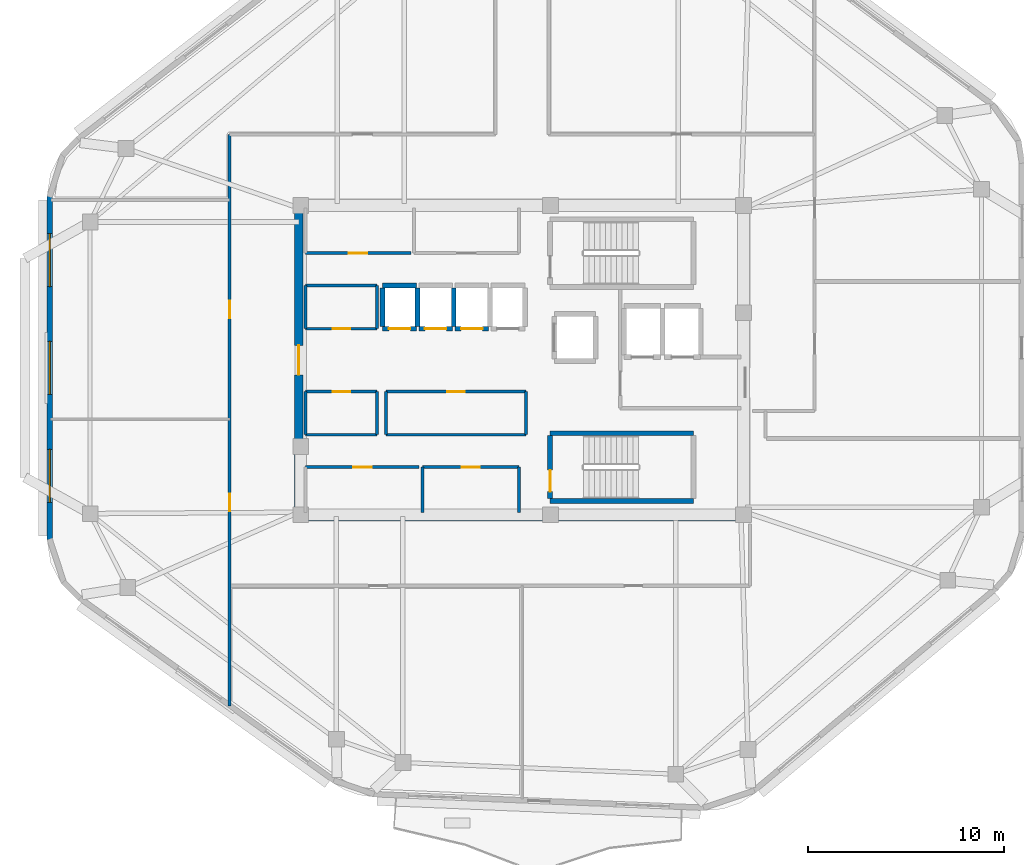
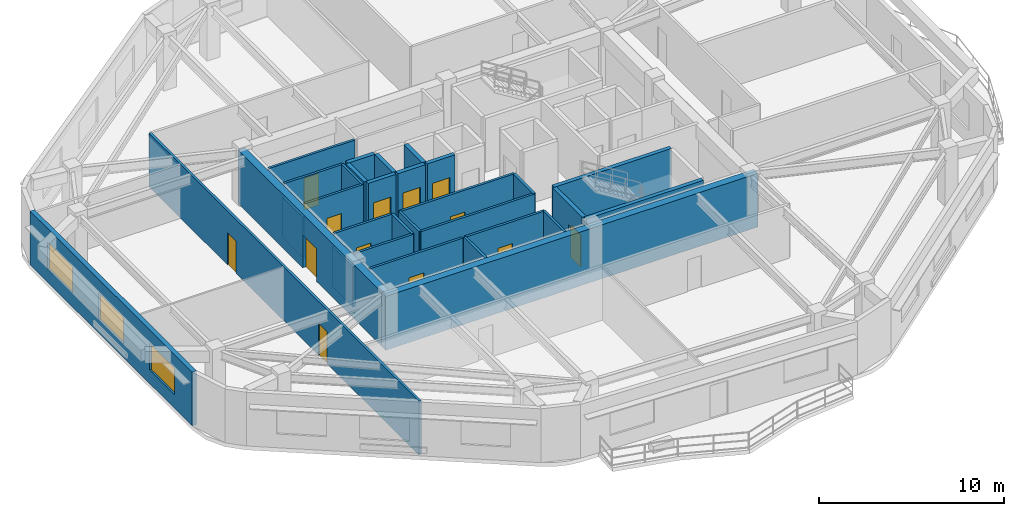
# One storey, part 3 of 8: 31 walls, 13 doors, 3 windows, 16 openings.
"""IFC4 building model written with IfcOpenShell, lengths in metres."""

import ifcopenshell
import ifcopenshell.guid

model = None  # the IFC model being written
_history = None  # IfcOwnerHistory: only IFC2X3 demands one
_inside = {}  # id of a spatial element -> (the spatial element, [elements in it])
_under = {}  # id of a project, library or spatial element -> (it, [spatial elements below it])
_declared = {}  # id of a project -> (the project, [libraries it declares])
_typed = {}  # id of a type object -> (the type object, [elements of that type])
_made_of = {}  # id of a material, layer set ... -> (it, [elements and type objects made of it])


def new_model(schema):
    """Start an empty IFC model of exactly this schema.

    Asked for "IFC4X3", IfcOpenShell would pick the latest addendum, in which some entities
    have other attributes; the version numbers below select the first issue.
    IFC2X3 requires an IfcOwnerHistory on every rooted entity: one is made here for all.
    """
    global model, _history
    if schema == "IFC4X3":
        model = ifcopenshell.file(schema_version=(4, 3, 0, 0))
    else:
        model = ifcopenshell.file(schema=schema)
    _inside.clear()
    _under.clear()
    _declared.clear()
    _typed.clear()
    _made_of.clear()
    _history = None
    if model.schema == "IFC2X3":
        org = make("IfcOrganization", Name="unknown")
        user = make(
            "IfcPersonAndOrganization",
            ThePerson=make("IfcPerson", FamilyName="unknown"),
            TheOrganization=org,
        )
        app = make(
            "IfcApplication",
            ApplicationDeveloper=org,
            Version="unknown",
            ApplicationFullName="unknown",
            ApplicationIdentifier="unknown",
        )
        _history = make(
            "IfcOwnerHistory",
            OwningUser=user,
            OwningApplication=app,
            ChangeAction="ADDED",
            CreationDate=0,
        )
    return model


def make(cls, **values):
    """One entity of the class cls with the attributes given. An attribute that is None is left unset."""
    return model.create_entity(
        cls, **{name: value for name, value in values.items() if value is not None}
    )


def rooted(cls, **values):
    """An entity with a GlobalId (a new one), such as an element, a storey or a relation."""
    return make(cls, GlobalId=ifcopenshell.guid.new(), OwnerHistory=_history, **values)


def si_unit(unit_type, name, prefix=None):
    """IfcSIUnit, for example si_unit("LENGTHUNIT", "METRE", prefix="MILLI")."""
    return make("IfcSIUnit", UnitType=unit_type, Prefix=prefix, Name=name)


def assignment(units):
    """IfcUnitAssignment: the units of a project."""
    return None if units is None else make("IfcUnitAssignment", Units=units)


def point(xyz):
    """IfcCartesianPoint."""
    return None if xyz is None else make("IfcCartesianPoint", Coordinates=xyz)


def direction(xyz):
    """IfcDirection."""
    return None if xyz is None else make("IfcDirection", DirectionRatios=xyz)


def frame(location, z_axis=None, x_axis=None):
    """IfcAxis2Placement3D, a coordinate frame: its origin and axes. An axis left out is left unset."""
    return make(
        "IfcAxis2Placement3D",
        Location=point(location),
        Axis=direction(z_axis),
        RefDirection=direction(x_axis),
    )


def frame_2d(location, x_axis=None):
    """IfcAxis2Placement2D, a coordinate frame in the plane: its origin and x axis."""
    return make(
        "IfcAxis2Placement2D", Location=point(location), RefDirection=direction(x_axis)
    )


def origin():
    """The frame at (0, 0, 0) with its axes left unset."""
    return frame((0.0, 0.0, 0.0))


def place(relative_to, where):
    """IfcLocalPlacement: puts the frame where relative to a parent placement (None: the world)."""
    return make(
        "IfcLocalPlacement", PlacementRelTo=relative_to, RelativePlacement=where
    )


def context(
    kind, dimensions, precision=None, world=None, true_north=None, identifier=None
):
    """IfcGeometricRepresentationContext, for example the 3D "Model" context."""
    return make(
        "IfcGeometricRepresentationContext",
        ContextIdentifier=identifier,
        ContextType=kind,
        CoordinateSpaceDimension=dimensions,
        Precision=precision,
        WorldCoordinateSystem=world,
        TrueNorth=true_north,
    )


def subcontext(parent, identifier, kind, view, scale=None):
    """IfcGeometricRepresentationSubContext, for example "Body" below "Model"."""
    return make(
        "IfcGeometricRepresentationSubContext",
        ContextIdentifier=identifier,
        ContextType=kind,
        ParentContext=parent,
        TargetScale=scale,
        TargetView=view,
    )


def project(units=None, contexts=None):
    """IfcProject with its units and contexts."""
    return rooted(
        "IfcProject",
        Name="project",
        RepresentationContexts=contexts,
        UnitsInContext=assignment(units),
    )


def spatial(cls, under=None, at=None, **own):
    """A site, building, storey or space (cls), placed at a placement, below another one or the project."""
    s = rooted(cls, ObjectPlacement=at, **own)
    if under is not None:
        _under.setdefault(under.id(), (under, []))[1].append(s)
    return s


def profile(cls, at=None, kind="AREA", **sizes):
    """A parametric profile (cls). Its sizes go by their IFC names, for example OverallWidth=200.0."""
    return make(cls, ProfileType=kind, Position=at, **sizes)


def rectangle(**sizes):
    """IfcRectangleProfileDef."""
    return profile("IfcRectangleProfileDef", **sizes)


def extrude(swept, where, along, depth):
    """IfcExtrudedAreaSolid: the profile swept, set in the frame where, extruded along a direction by depth."""
    return make(
        "IfcExtrudedAreaSolid",
        SweptArea=swept,
        Position=where,
        ExtrudedDirection=direction(along),
        Depth=depth,
    )


def shape(context_of_items, identifier, shape_type, items):
    """IfcShapeRepresentation: the items that make up one representation, for example the "Body"."""
    return make(
        "IfcShapeRepresentation",
        ContextOfItems=context_of_items,
        RepresentationIdentifier=identifier,
        RepresentationType=shape_type,
        Items=items,
    )


def material(Name=None, Category=None):
    """IfcMaterial."""
    return make("IfcMaterial", Name=Name, Category=Category)


def layer(
    of_material, thickness, ventilated=None, Name=None, Category=None, Priority=None
):
    """IfcMaterialLayer: one layer of a wall or slab, of a material (None: an air gap)."""
    return make(
        "IfcMaterialLayer",
        Material=of_material,
        LayerThickness=thickness,
        IsVentilated=ventilated,
        Name=Name,
        Category=Category,
        Priority=Priority,
    )


def layer_set(layers, Name=None):
    """IfcMaterialLayerSet."""
    return make("IfcMaterialLayerSet", MaterialLayers=layers, LayerSetName=Name)


def made_of(thing, what):
    """Note that an element or type object is made of a material, layer set ...; save() writes the relation."""
    if what is not None:
        _made_of.setdefault(what.id(), (what, []))[1].append(thing)
    return thing


def type_object(cls, material=None, **own):
    """A type object (cls), such as IfcWallType, which elements share."""
    return made_of(rooted(cls, **own), material)


def element(
    cls,
    number,
    at=None,
    inside=None,
    cuts=None,
    type_object=None,
    material=None,
    context=None,
    identifier="Body",
    shape_type=None,
    held_by="IfcProductDefinitionShape",
    body=None,
    shapes=None,
    **own,
):
    """One element of the class cls, such as IfcWall. Its Tag is "e" and its number.

    at: its placement. inside: the storey or other place that contains it. cuts: it is an
    opening in that element (IfcRelVoidsElement). A single representation is given by context,
    identifier, shape_type and body (its items); several are given by shapes. held_by: the class
    of the entity that holds the representations. save() writes the other relations.
    """
    e = rooted(cls, Tag="e%d" % number, ObjectPlacement=at, **own)
    if body is not None:
        shapes = [shape(context, identifier, shape_type, body)]
    if shapes is not None:
        e.Representation = make(held_by, Representations=shapes)
    if inside is not None:
        _inside.setdefault(inside.id(), (inside, []))[1].append(e)
    if cuts is not None:
        rooted(
            "IfcRelVoidsElement", RelatingBuildingElement=cuts, RelatedOpeningElement=e
        )
    if type_object is not None:
        _typed.setdefault(type_object.id(), (type_object, []))[1].append(e)
    return made_of(e, material)


def fill(opening, filler):
    """IfcRelFillsElement: the door or window that sits in an opening."""
    return rooted(
        "IfcRelFillsElement",
        RelatingOpeningElement=opening,
        RelatedBuildingElement=filler,
    )


def aggregate(whole, parts):
    """IfcRelAggregates: a whole, such as a stair, and the parts it consists of."""
    return rooted("IfcRelAggregates", RelatingObject=whole, RelatedObjects=parts)


def save(model, path):
    """Write the relations noted so far, then the file.

    IfcRelAggregates (storeys below a building ...), IfcRelContainedInSpatialStructure (elements
    in a storey), IfcRelDefinesByType, IfcRelAssociatesMaterial and IfcRelDeclares: one each for
    every whole, place, type object, material and project.
    """
    for whole, parts in _under.values():
        aggregate(whole, parts)
    for where, things in _inside.values():
        rooted(
            "IfcRelContainedInSpatialStructure",
            RelatedElements=things,
            RelatingStructure=where,
        )
    for kind, things in _typed.values():
        rooted("IfcRelDefinesByType", RelatedObjects=things, RelatingType=kind)
    for what, things in _made_of.values():
        rooted("IfcRelAssociatesMaterial", RelatedObjects=things, RelatingMaterial=what)
    for by, libraries in _declared.values():
        rooted("IfcRelDeclares", RelatingContext=by, RelatedDefinitions=libraries)
    model.write(path)


model = new_model("IFC4")

# Units and contexts
model_context = context("Model", 3, precision=1e-05, world=origin(), true_north=direction((0.0, 1.0)))
body_context = subcontext(model_context, "Body", "Model", "MODEL_VIEW")
ifc_project = project(units=[si_unit("LENGTHUNIT", "METRE"), si_unit("AREAUNIT", "SQUARE_METRE"), si_unit("VOLUMEUNIT", "CUBIC_METRE"), si_unit("PLANEANGLEUNIT", "RADIAN"), si_unit("MASSUNIT", "GRAM", prefix="KILO")], contexts=[model_context])

# Site, building, storey
site_placement = place(None, origin())
site = spatial("IfcSite", under=ifc_project, at=site_placement, CompositionType="ELEMENT")
building_placement = place(site_placement, origin())
building = spatial("IfcBuilding", under=site, at=building_placement, Name="Zulverin Broadcast Headquarters", CompositionType="ELEMENT")
storey_placement = place(building_placement, frame((0.0, 0.0, 297.199951171875)))
storey = spatial("IfcBuildingStorey", under=building, at=storey_placement, Name="L76", CompositionType="ELEMENT", Elevation=297.199951171875)

# Wall
ifc_material_1 = material(Name="Concrete C50/60", Category="concrete")
ifc_layer_1 = layer(ifc_material_1, 0.449951171875, Name="Concrete C50/60", Category="concrete")
ifc_layer_set_1 = layer_set([ifc_layer_1], Name="Concrete C50/60")
wall_type_1 = type_object("IfcWallType", Name="WL-CORE-450", PredefinedType="SHEAR", material=ifc_layer_set_1)
wall_1_placement = place(storey_placement, frame((25.39990234375, 17.22509765625, 0.0), z_axis=(0.0, 0.0, 1.0), x_axis=(1.0, 0.0, 0.0)))
element("IfcWall", 1, at=wall_1_placement, inside=storey, type_object=wall_type_1, Name="L76 Core South Shear Wall", PredefinedType="SHEAR", context=body_context, shape_type="SweptSolid", body=[
    extrude(rectangle(XDim=23.2001953125, YDim=0.449951171875, at=frame_2d((11.60009765625, 0.0))), origin(), (0.0, 0.0, 1.0), 3.5400390625),
])

# Wall, opening, door
wall_2_placement = place(storey_placement, frame((25.625, 17.449951171875, 0.0), z_axis=(0.0, 0.0, 1.0), x_axis=(0.0, 1.0, 0.0)))
wall_2 = element("IfcWall", 2, at=wall_2_placement, inside=storey, type_object=wall_type_1, Name="L76 Core West Shear Wall", PredefinedType="SHEAR", context=body_context, shape_type="SweptSolid", body=[
    extrude(rectangle(XDim=15.5, YDim=0.449951171875, at=frame_2d((7.75, 0.0))), origin(), (0.0, 0.0, 1.0), 3.5400390625),
])
opening_1_placement = place(wall_2_placement, frame((7.0, 0.0, 0.0)))
opening_1 = element("IfcOpeningElement", 3, at=opening_1_placement, cuts=wall_2, Name="Opening D-L76-CW1", PredefinedType="OPENING", context=body_context, shape_type="SweptSolid", body=[
    extrude(rectangle(XDim=1.5, YDim=2.14990234375, at=frame_2d((0.75, 1.074951171875))), frame((0.0, 0.23486328125, 0.0), z_axis=(0.0, -1.0, 0.0), x_axis=(1.0, 0.0, 0.0)), (0.0, 0.0, 1.0), 0.469970703125),
])
ifc_material_2 = material(Name="Fire-rated glazed steel frame", Category="steel")
door_type_1 = type_object("IfcDoorType", Name="DR-COR-1500", OperationType="DOUBLE_DOOR_SINGLE_SWING", PredefinedType="DOOR", material=ifc_material_2)
door_1_placement = place(opening_1_placement, origin())
door_1 = element("IfcDoor", 4, at=door_1_placement, inside=storey, type_object=door_type_1, Name="L76 Central Lift Lobby West Portal Door", OperationType="DOUBLE_DOOR_SINGLE_SWING", OverallHeight=2.14990234375, OverallWidth=1.5, PredefinedType="DOOR", context=body_context, shape_type="SweptSolid", body=[
    extrude(rectangle(XDim=1.5, YDim=2.14990234375, at=frame_2d((0.75, 1.074951171875))), frame((0.0, 0.02490234375, 0.0), z_axis=(0.0, -1.0, 0.0), x_axis=(1.0, 0.0, 0.0)), (0.0, 0.0, 1.0), 0.050048828125),
])
fill(opening_1, door_1)

# Wall, openings, windows
ifc_material_3 = material(Name="Insulated pale-metal clad concrete spandrel C40/50", Category="concrete")
ifc_layer_2 = layer(ifc_material_3, 0.280029296875, Name="Insulated pale-metal clad concrete spandrel C40/50", Category="concrete")
ifc_layer_set_2 = layer_set([ifc_layer_2], Name="Insulated pale-metal clad concrete spandrel C40/50")
wall_type_2 = type_object("IfcWallType", Name="WL-EXT-280", PredefinedType="STANDARD", material=ifc_layer_set_2)
wall_3_placement = place(storey_placement, frame((12.93994140625, 33.548095703125, 0.0), z_axis=(0.0, 0.0, 1.0), x_axis=(0.0, -1.0, 0.0)))
wall_3 = element("IfcWall", 5, at=wall_3_placement, inside=storey, type_object=wall_type_2, Name="L76 Pale-Metal Clad Spandrel Wall 7", PredefinedType="STANDARD", context=body_context, shape_type="SweptSolid", body=[
    extrude(rectangle(XDim=17.496337890625, YDim=0.280029296875, at=frame_2d((8.748046875, 0.0))), origin(), (0.0, 0.0, 1.0), 3.5400390625),
])
opening_2_placement = place(wall_3_placement, frame((1.8994140625, 0.0, 0.89990234375)))
opening_2 = element("IfcOpeningElement", 6, at=opening_2_placement, cuts=wall_3, Name="Opening W-L76-E71", PredefinedType="OPENING", context=body_context, shape_type="SweptSolid", body=[
    extrude(rectangle(XDim=2.699951171875, YDim=1.75, at=frame_2d((1.35009765625, 0.875))), frame((0.0, 0.14990234375, 0.0), z_axis=(0.0, -1.0, 0.0), x_axis=(1.0, 0.0, 0.0)), (0.0, 0.0, 1.0), 0.300048828125),
])
opening_3_placement = place(wall_3_placement, frame((7.398193359375, 0.0, 0.89990234375)))
opening_3 = element("IfcOpeningElement", 7, at=opening_3_placement, cuts=wall_3, Name="Opening W-L76-E72", PredefinedType="OPENING", context=body_context, shape_type="SweptSolid", body=[
    extrude(rectangle(XDim=2.699951171875, YDim=1.75, at=frame_2d((1.35009765625, 0.875))), frame((0.0, 0.14990234375, 0.0), z_axis=(0.0, -1.0, 0.0), x_axis=(1.0, 0.0, 0.0)), (0.0, 0.0, 1.0), 0.300048828125),
])
opening_4_placement = place(wall_3_placement, frame((12.89697265625, 0.0, 0.89990234375)))
opening_4 = element("IfcOpeningElement", 8, at=opening_4_placement, cuts=wall_3, Name="Opening W-L76-E73", PredefinedType="OPENING", context=body_context, shape_type="SweptSolid", body=[
    extrude(rectangle(XDim=2.699951171875, YDim=1.75, at=frame_2d((1.35009765625, 0.875))), frame((0.0, 0.14990234375, 0.0), z_axis=(0.0, -1.0, 0.0), x_axis=(1.0, 0.0, 0.0)), (0.0, 0.0, 1.0), 0.300048828125),
])
ifc_material_4 = material(Name="Pale anodized aluminium frame with solar-control low-E double glazing", Category="aluminium")
window_type = type_object("IfcWindowType", Name="WIN-TWR-2700", PartitioningType="SINGLE_PANEL", PredefinedType="WINDOW", material=ifc_material_4)
window_1_placement = place(opening_2_placement, origin())
window_1 = element("IfcWindow", 9, at=window_1_placement, inside=storey, type_object=window_type, Name="L76 Ribbon Glazing Window 7 1", OverallHeight=1.75, OverallWidth=2.699951171875, PartitioningType="SINGLE_PANEL", PredefinedType="WINDOW", context=body_context, shape_type="SweptSolid", body=[
    extrude(rectangle(XDim=2.699951171875, YDim=1.75, at=frame_2d((1.35009765625, 0.875))), frame((0.0, 0.030029296875, 0.0), z_axis=(0.0, -1.0, 0.0), x_axis=(1.0, 0.0, 0.0)), (0.0, 0.0, 1.0), 0.06005859375),
])
fill(opening_2, window_1)
window_2_placement = place(opening_3_placement, origin())
window_2 = element("IfcWindow", 10, at=window_2_placement, inside=storey, type_object=window_type, Name="L76 Ribbon Glazing Window 7 2", OverallHeight=1.75, OverallWidth=2.699951171875, PartitioningType="SINGLE_PANEL", PredefinedType="WINDOW", context=body_context, shape_type="SweptSolid", body=[
    extrude(rectangle(XDim=2.699951171875, YDim=1.75, at=frame_2d((1.35009765625, 0.875))), frame((0.0, 0.030029296875, 0.0), z_axis=(0.0, -1.0, 0.0), x_axis=(1.0, 0.0, 0.0)), (0.0, 0.0, 1.0), 0.06005859375),
])
fill(opening_3, window_2)
window_3_placement = place(opening_4_placement, origin())
window_3 = element("IfcWindow", 11, at=window_3_placement, inside=storey, type_object=window_type, Name="L76 Ribbon Glazing Window 7 3", OverallHeight=1.75, OverallWidth=2.699951171875, PartitioningType="SINGLE_PANEL", PredefinedType="WINDOW", context=body_context, shape_type="SweptSolid", body=[
    extrude(rectangle(XDim=2.699951171875, YDim=1.75, at=frame_2d((1.35009765625, 0.875))), frame((0.0, 0.030029296875, 0.0), z_axis=(0.0, -1.0, 0.0), x_axis=(1.0, 0.0, 0.0)), (0.0, 0.0, 1.0), 0.06005859375),
])
fill(opening_4, window_3)

# Wall, opening, door
ifc_material_5 = material(Name="Fire-rated gypsum stud partition", Category="gypsum")
ifc_layer_3 = layer(ifc_material_5, 0.14990234375, Name="Fire-rated gypsum stud partition", Category="gypsum")
ifc_layer_set_3 = layer_set([ifc_layer_3], Name="Fire-rated gypsum stud partition")
wall_type_3 = type_object("IfcWallType", Name="WL-PART-150", PredefinedType="PARTITIONING", material=ifc_layer_set_3)
wall_4_placement = place(storey_placement, frame((25.969970703125, 30.64990234375, 0.0), z_axis=(0.0, 0.0, 1.0), x_axis=(1.0, 0.0, 0.0)))
wall_4 = element("IfcWall", 12, at=wall_4_placement, inside=storey, type_object=wall_type_3, Name="L76 Core Male WC Front Wall", PredefinedType="PARTITIONING", context=body_context, shape_type="SweptSolid", body=[
    extrude(rectangle(XDim=5.360107421875, YDim=0.14990234375, at=frame_2d((2.68017578125, 0.0))), origin(), (0.0, 0.0, 1.0), 3.5400390625),
])
opening_5_placement = place(wall_4_placement, frame((2.205078125, 0.0, 0.0)))
opening_5 = element("IfcOpeningElement", 13, at=opening_5_placement, cuts=wall_4, Name="Opening D-L76-NC1", PredefinedType="OPENING", context=body_context, shape_type="SweptSolid", body=[
    extrude(rectangle(XDim=0.949951171875, YDim=2.10009765625, at=frame_2d((0.47509765625, 1.050048828125))), frame((0.0, 0.0849609375, 0.0), z_axis=(0.0, -1.0, 0.0), x_axis=(1.0, 0.0, 0.0)), (0.0, 0.0, 1.0), 0.169921875),
])
ifc_material_6 = material(Name="Fire-rated moisture-resistant laminate leaf", Category="wood")
door_type_2 = type_object("IfcDoorType", Name="DR-WC-950", OperationType="SINGLE_SWING_LEFT", PredefinedType="DOOR", material=ifc_material_6)
door_2_placement = place(opening_5_placement, origin())
door_2 = element("IfcDoor", 14, at=door_2_placement, inside=storey, type_object=door_type_2, Name="L76 Male WC Door", OperationType="SINGLE_SWING_LEFT", OverallHeight=2.10009765625, OverallWidth=0.949951171875, PredefinedType="DOOR", context=body_context, shape_type="SweptSolid", body=[
    extrude(rectangle(XDim=0.949951171875, YDim=2.10009765625, at=frame_2d((0.47509765625, 1.050048828125))), frame((0.0, 0.02490234375, 0.0), z_axis=(0.0, -1.0, 0.0), x_axis=(1.0, 0.0, 0.0)), (0.0, 0.0, 1.0), 0.050048828125),
])
fill(opening_5, door_2)

wall_5_placement = place(storey_placement, frame((25.969970703125, 19.75, 0.0), z_axis=(0.0, 0.0, 1.0), x_axis=(1.0, 0.0, 0.0)))
wall_5 = element("IfcWall", 15, at=wall_5_placement, inside=storey, type_object=wall_type_3, Name="L76 Core Female WC Front Wall", PredefinedType="PARTITIONING", context=body_context, shape_type="SweptSolid", body=[
    extrude(rectangle(XDim=5.7900390625, YDim=0.14990234375, at=frame_2d((2.89501953125, 0.0))), origin(), (0.0, 0.0, 1.0), 3.5400390625),
])
opening_6_placement = place(wall_5_placement, frame((2.419921875, 0.0, 0.0)))
opening_6 = element("IfcOpeningElement", 16, at=opening_6_placement, cuts=wall_5, Name="Opening D-L76-SC1", PredefinedType="OPENING", context=body_context, shape_type="SweptSolid", body=[
    extrude(rectangle(XDim=0.949951171875, YDim=2.10009765625, at=frame_2d((0.47509765625, 1.050048828125))), frame((0.0, 0.0849609375, 0.0), z_axis=(0.0, -1.0, 0.0), x_axis=(1.0, 0.0, 0.0)), (0.0, 0.0, 1.0), 0.169921875),
])
door_3_placement = place(opening_6_placement, origin())
door_3 = element("IfcDoor", 17, at=door_3_placement, inside=storey, type_object=door_type_2, Name="L76 Female WC Door", OperationType="SINGLE_SWING_LEFT", OverallHeight=2.10009765625, OverallWidth=0.949951171875, PredefinedType="DOOR", context=body_context, shape_type="SweptSolid", body=[
    extrude(rectangle(XDim=0.949951171875, YDim=2.10009765625, at=frame_2d((0.47509765625, 1.050048828125))), frame((0.0, 0.02490234375, 0.0), z_axis=(0.0, -1.0, 0.0), x_axis=(1.0, 0.0, 0.0)), (0.0, 0.0, 1.0), 0.050048828125),
])
fill(opening_6, door_3)

wall_6_placement = place(storey_placement, frame((31.919921875, 19.75, 0.0), z_axis=(0.0, 0.0, 1.0), x_axis=(1.0, 0.0, 0.0)))
wall_6 = element("IfcWall", 18, at=wall_6_placement, inside=storey, type_object=wall_type_3, Name="L76 Core Cleaner Store & Telecoms Riser Front Wall", PredefinedType="PARTITIONING", context=body_context, shape_type="SweptSolid", body=[
    extrude(rectangle(XDim=4.93017578125, YDim=0.14990234375, at=frame_2d((2.465087890625, 0.0))), origin(), (0.0, 0.0, 1.0), 3.5400390625),
])
opening_7_placement = place(wall_6_placement, frame((2.014892578125, 0.0, 0.0)))
opening_7 = element("IfcOpeningElement", 19, at=opening_7_placement, cuts=wall_6, Name="Opening D-L76-SC2", PredefinedType="OPENING", context=body_context, shape_type="SweptSolid", body=[
    extrude(rectangle(XDim=0.89990234375, YDim=2.10009765625, at=frame_2d((0.449951171875, 1.050048828125))), frame((0.0, 0.0849609375, 0.0), z_axis=(0.0, -1.0, 0.0), x_axis=(1.0, 0.0, 0.0)), (0.0, 0.0, 1.0), 0.169921875),
])
ifc_material_7 = material(Name="Powder-coated steel access leaf", Category="steel")
door_type_3 = type_object("IfcDoorType", Name="DR-RISER-900", OperationType="SINGLE_SWING_LEFT", PredefinedType="DOOR", material=ifc_material_7)
door_4_placement = place(opening_7_placement, origin())
door_4 = element("IfcDoor", 20, at=door_4_placement, inside=storey, type_object=door_type_3, Name="L76 Cleaner Store & Telecoms Riser Door", OperationType="SINGLE_SWING_RIGHT", OverallHeight=2.10009765625, OverallWidth=0.89990234375, PredefinedType="DOOR", context=body_context, shape_type="SweptSolid", body=[
    extrude(rectangle(XDim=0.89990234375, YDim=2.10009765625, at=frame_2d((0.449951171875, 1.050048828125))), frame((0.0, 0.02490234375, 0.0), z_axis=(0.0, -1.0, 0.0), x_axis=(1.0, 0.0, 0.0)), (0.0, 0.0, 1.0), 0.050048828125),
])
fill(opening_7, door_4)

# Walls
for number, where, z_axis, x_axis, name in (
    (21, (31.919921875, 17.449951171875, 0.0), (0.0, 0.0, 1.0), (0.0, 1.0, 0.0), "L76 Core Cleaner Store & Telecoms Riser West Wall"),
    (22, (36.85009765625, 17.449951171875, 0.0), (0.0, 0.0, 1.0), (0.0, 1.0, 0.0), "L76 Core Cleaner Store & Telecoms Riser East Wall"),
):
    element("IfcWall", number, at=place(storey_placement, frame(where, z_axis=z_axis, x_axis=x_axis)), inside=storey, type_object=wall_type_3, Name=name, PredefinedType="PARTITIONING", context=body_context, shape_type="SweptSolid", body=[
        extrude(rectangle(XDim=2.300048828125, YDim=0.14990234375, at=frame_2d((1.14990234375, 0.0))), origin(), (0.0, 0.0, 1.0), 3.5400390625),
    ])

# Wall, opening, door
wall_7_placement = place(storey_placement, frame((25.969970703125, 26.800048828125, 0.0), z_axis=(0.0, 0.0, 1.0), x_axis=(1.0, 0.0, 0.0)))
wall_7 = element("IfcWall", 23, at=wall_7_placement, inside=storey, type_object=wall_type_3, Name="L76 Broadcast Signal Patch Room S Wall", PredefinedType="PARTITIONING", context=body_context, shape_type="SweptSolid", body=[
    extrude(rectangle(XDim=3.650146484375, YDim=0.14990234375, at=frame_2d((1.8251953125, 0.0))), origin(), (0.0, 0.0, 1.0), 3.5400390625),
])
opening_8_placement = place(wall_7_placement, frame((1.375, 0.0, 0.0)))
opening_8 = element("IfcOpeningElement", 24, at=opening_8_placement, cuts=wall_7, Name="Opening D-L76-RCLN", PredefinedType="OPENING", context=body_context, shape_type="SweptSolid", body=[
    extrude(rectangle(XDim=0.89990234375, YDim=2.10009765625, at=frame_2d((0.449951171875, 1.050048828125))), frame((0.0, 0.0849609375, 0.0), z_axis=(0.0, -1.0, 0.0), x_axis=(1.0, 0.0, 0.0)), (0.0, 0.0, 1.0), 0.169921875),
])
door_5_placement = place(opening_8_placement, origin())
door_5 = element("IfcDoor", 25, at=door_5_placement, inside=storey, type_object=door_type_3, Name="L76 Broadcast Signal Patch Room Door", OperationType="SINGLE_SWING_LEFT", OverallHeight=2.10009765625, OverallWidth=0.89990234375, PredefinedType="DOOR", context=body_context, shape_type="SweptSolid", body=[
    extrude(rectangle(XDim=0.89990234375, YDim=2.10009765625, at=frame_2d((0.449951171875, 1.050048828125))), frame((0.0, 0.02490234375, 0.0), z_axis=(0.0, -1.0, 0.0), x_axis=(1.0, 0.0, 0.0)), (0.0, 0.0, 1.0), 0.050048828125),
])
fill(opening_8, door_5)

# Walls
wall_8_placement = place(storey_placement, frame((25.969970703125, 29.0, 0.0), z_axis=(0.0, 0.0, 1.0), x_axis=(1.0, 0.0, 0.0)))
element("IfcWall", 26, at=wall_8_placement, inside=storey, type_object=wall_type_3, Name="L76 Broadcast Signal Patch Room N Wall", PredefinedType="PARTITIONING", context=body_context, shape_type="SweptSolid", body=[
    extrude(rectangle(XDim=3.650146484375, YDim=0.14990234375, at=frame_2d((1.8251953125, 0.0))), origin(), (0.0, 0.0, 1.0), 3.5400390625),
])
wall_9_placement = place(storey_placement, frame((25.969970703125, 26.800048828125, 0.0), z_axis=(0.0, 0.0, 1.0), x_axis=(0.0, 1.0, 0.0)))
element("IfcWall", 27, at=wall_9_placement, inside=storey, type_object=wall_type_3, Name="L76 Broadcast Signal Patch Room W Wall", PredefinedType="PARTITIONING", context=body_context, shape_type="SweptSolid", body=[
    extrude(rectangle(XDim=2.199951171875, YDim=0.14990234375, at=frame_2d((1.10009765625, 0.0))), origin(), (0.0, 0.0, 1.0), 2.64013671875),
])
wall_10_placement = place(storey_placement, frame((29.6201171875, 26.800048828125, 0.0), z_axis=(0.0, 0.0, 1.0), x_axis=(0.0, 1.0, 0.0)))
element("IfcWall", 28, at=wall_10_placement, inside=storey, type_object=wall_type_3, Name="L76 Broadcast Signal Patch Room E Wall", PredefinedType="PARTITIONING", context=body_context, shape_type="SweptSolid", body=[
    extrude(rectangle(XDim=2.199951171875, YDim=0.14990234375, at=frame_2d((1.10009765625, 0.0))), origin(), (0.0, 0.0, 1.0), 3.5400390625),
])
wall_11_placement = place(storey_placement, frame((25.969970703125, 21.39990234375, 0.0), z_axis=(0.0, 0.0, 1.0), x_axis=(1.0, 0.0, 0.0)))
element("IfcWall", 29, at=wall_11_placement, inside=storey, type_object=wall_type_3, Name="L76 Media Ingestion Server Room S Wall", PredefinedType="PARTITIONING", context=body_context, shape_type="SweptSolid", body=[
    extrude(rectangle(XDim=3.650146484375, YDim=0.14990234375, at=frame_2d((1.8251953125, 0.0))), origin(), (0.0, 0.0, 1.0), 3.5400390625),
])

# Wall, opening, door
wall_12_placement = place(storey_placement, frame((25.969970703125, 23.60009765625, 0.0), z_axis=(0.0, 0.0, 1.0), x_axis=(1.0, 0.0, 0.0)))
wall_12 = element("IfcWall", 30, at=wall_12_placement, inside=storey, type_object=wall_type_3, Name="L76 Media Ingestion Server Room N Wall", PredefinedType="PARTITIONING", context=body_context, shape_type="SweptSolid", body=[
    extrude(rectangle(XDim=3.650146484375, YDim=0.14990234375, at=frame_2d((1.8251953125, 0.0))), origin(), (0.0, 0.0, 1.0), 3.5400390625),
])
opening_9_placement = place(wall_12_placement, frame((1.375, 0.0, 0.0)))
opening_9 = element("IfcOpeningElement", 31, at=opening_9_placement, cuts=wall_12, Name="Opening D-L76-RCLS", PredefinedType="OPENING", context=body_context, shape_type="SweptSolid", body=[
    extrude(rectangle(XDim=0.89990234375, YDim=2.10009765625, at=frame_2d((0.449951171875, 1.050048828125))), frame((0.0, 0.0849609375, 0.0), z_axis=(0.0, -1.0, 0.0), x_axis=(1.0, 0.0, 0.0)), (0.0, 0.0, 1.0), 0.169921875),
])
door_6_placement = place(opening_9_placement, origin())
door_6 = element("IfcDoor", 32, at=door_6_placement, inside=storey, type_object=door_type_3, Name="L76 Media Ingestion Server Room Door", OperationType="SINGLE_SWING_RIGHT", OverallHeight=2.10009765625, OverallWidth=0.89990234375, PredefinedType="DOOR", context=body_context, shape_type="SweptSolid", body=[
    extrude(rectangle(XDim=0.89990234375, YDim=2.10009765625, at=frame_2d((0.449951171875, 1.050048828125))), frame((0.0, 0.02490234375, 0.0), z_axis=(0.0, -1.0, 0.0), x_axis=(1.0, 0.0, 0.0)), (0.0, 0.0, 1.0), 0.050048828125),
])
fill(opening_9, door_6)

# Walls
wall_13_placement = place(storey_placement, frame((25.969970703125, 21.39990234375, 0.0), z_axis=(0.0, 0.0, 1.0), x_axis=(0.0, 1.0, 0.0)))
element("IfcWall", 33, at=wall_13_placement, inside=storey, type_object=wall_type_3, Name="L76 Media Ingestion Server Room W Wall", PredefinedType="PARTITIONING", context=body_context, shape_type="SweptSolid", body=[
    extrude(rectangle(XDim=2.2001953125, YDim=0.14990234375, at=frame_2d((1.10009765625, 0.0))), origin(), (0.0, 0.0, 1.0), 2.64013671875),
])
wall_14_placement = place(storey_placement, frame((29.6201171875, 21.39990234375, 0.0), z_axis=(0.0, 0.0, 1.0), x_axis=(0.0, 1.0, 0.0)))
element("IfcWall", 34, at=wall_14_placement, inside=storey, type_object=wall_type_3, Name="L76 Media Ingestion Server Room E Wall", PredefinedType="PARTITIONING", context=body_context, shape_type="SweptSolid", body=[
    extrude(rectangle(XDim=2.2001953125, YDim=0.14990234375, at=frame_2d((1.10009765625, 0.0))), origin(), (0.0, 0.0, 1.0), 3.5400390625),
])
wall_15_placement = place(storey_placement, frame((30.080078125, 21.39990234375, 0.0), z_axis=(0.0, 0.0, 1.0), x_axis=(1.0, 0.0, 0.0)))
element("IfcWall", 35, at=wall_15_placement, inside=storey, type_object=wall_type_3, Name="L76 Optical Telemetry Hub Room S Wall", PredefinedType="PARTITIONING", context=body_context, shape_type="SweptSolid", body=[
    extrude(rectangle(XDim=7.119873046875, YDim=0.14990234375, at=frame_2d((3.56005859375, 0.0))), origin(), (0.0, 0.0, 1.0), 3.5400390625),
])

# Wall, opening, door
wall_16_placement = place(storey_placement, frame((30.080078125, 23.60009765625, 0.0), z_axis=(0.0, 0.0, 1.0), x_axis=(1.0, 0.0, 0.0)))
wall_16 = element("IfcWall", 36, at=wall_16_placement, inside=storey, type_object=wall_type_3, Name="L76 Optical Telemetry Hub Room N Wall", PredefinedType="PARTITIONING", context=body_context, shape_type="SweptSolid", body=[
    extrude(rectangle(XDim=7.119873046875, YDim=0.14990234375, at=frame_2d((3.56005859375, 0.0))), origin(), (0.0, 0.0, 1.0), 3.5400390625),
])
opening_10_placement = place(wall_16_placement, frame((3.110107421875, 0.0, 0.0)))
opening_10 = element("IfcOpeningElement", 37, at=opening_10_placement, cuts=wall_16, Name="Opening D-L76-RM1", PredefinedType="OPENING", context=body_context, shape_type="SweptSolid", body=[
    extrude(rectangle(XDim=0.89990234375, YDim=2.10009765625, at=frame_2d((0.449951171875, 1.050048828125))), frame((0.0, 0.0849609375, 0.0), z_axis=(0.0, -1.0, 0.0), x_axis=(1.0, 0.0, 0.0)), (0.0, 0.0, 1.0), 0.169921875),
])
door_7_placement = place(opening_10_placement, origin())
door_7 = element("IfcDoor", 38, at=door_7_placement, inside=storey, type_object=door_type_3, Name="L76 Optical Telemetry Hub Room Door", OperationType="SINGLE_SWING_LEFT", OverallHeight=2.10009765625, OverallWidth=0.89990234375, PredefinedType="DOOR", context=body_context, shape_type="SweptSolid", body=[
    extrude(rectangle(XDim=0.89990234375, YDim=2.10009765625, at=frame_2d((0.449951171875, 1.050048828125))), frame((0.0, 0.02490234375, 0.0), z_axis=(0.0, -1.0, 0.0), x_axis=(1.0, 0.0, 0.0)), (0.0, 0.0, 1.0), 0.050048828125),
])
fill(opening_10, door_7)

# Walls
for number, where, z_axis, x_axis, name in (
    (39, (30.080078125, 21.39990234375, 0.0), (0.0, 0.0, 1.0), (0.0, 1.0, 0.0), "L76 Optical Telemetry Hub Room W Wall"),
    (40, (37.199951171875, 21.39990234375, 0.0), (0.0, 0.0, 1.0), (0.0, 1.0, 0.0), "L76 Optical Telemetry Hub Room E Wall"),
):
    element("IfcWall", number, at=place(storey_placement, frame(where, z_axis=z_axis, x_axis=x_axis)), inside=storey, type_object=wall_type_3, Name=name, PredefinedType="PARTITIONING", context=body_context, shape_type="SweptSolid", body=[
        extrude(rectangle(XDim=2.2001953125, YDim=0.14990234375, at=frame_2d((1.10009765625, 0.0))), origin(), (0.0, 0.0, 1.0), 3.5400390625),
    ])

# Wall, openings, doors
wall_17_placement = place(storey_placement, frame((22.10009765625, 7.574951171875, 0.0), z_axis=(0.0, 0.0, 1.0), x_axis=(0.0, 1.0, 0.0)))
wall_17 = element("IfcWall", 41, at=wall_17_placement, inside=storey, type_object=wall_type_3, Name="L76 Gallery Partition Wall CG-07", PredefinedType="PARTITIONING", context=body_context, shape_type="SweptSolid", body=[
    extrude(rectangle(XDim=29.125, YDim=0.14990234375, at=frame_2d((14.5625, 0.0))), origin(), (0.0, 0.0, 1.0), 3.5400390625),
])
opening_11_placement = place(wall_17_placement, frame((9.925048828125, 0.0, 0.0)))
opening_11 = element("IfcOpeningElement", 42, at=opening_11_placement, cuts=wall_17, Name="Opening D-L76-05", PredefinedType="OPENING", context=body_context, shape_type="SweptSolid", body=[
    extrude(rectangle(XDim=0.89990234375, YDim=2.10009765625, at=frame_2d((0.449951171875, 1.050048828125))), frame((0.0, 0.0849609375, 0.0), z_axis=(0.0, -1.0, 0.0), x_axis=(1.0, 0.0, 0.0)), (0.0, 0.0, 1.0), 0.169921875),
])
opening_12_placement = place(wall_17_placement, frame((19.75, 0.0, 0.0)))
opening_12 = element("IfcOpeningElement", 43, at=opening_12_placement, cuts=wall_17, Name="Opening D-L76-06", PredefinedType="OPENING", context=body_context, shape_type="SweptSolid", body=[
    extrude(rectangle(XDim=0.89990234375, YDim=2.10009765625, at=frame_2d((0.449951171875, 1.050048828125))), frame((0.0, 0.0849609375, 0.0), z_axis=(0.0, -1.0, 0.0), x_axis=(1.0, 0.0, 0.0)), (0.0, 0.0, 1.0), 0.169921875),
])
ifc_material_8 = material(Name="Fire-rated hardwood veneer timber leaf", Category="wood")
door_type_4 = type_object("IfcDoorType", Name="DR-ROOM-900", OperationType="SINGLE_SWING_RIGHT", PredefinedType="DOOR", material=ifc_material_8)
door_8_placement = place(opening_11_placement, origin())
door_8 = element("IfcDoor", 44, at=door_8_placement, inside=storey, type_object=door_type_4, Name="L76 Hospitality Club Bar Door", OperationType="SINGLE_SWING_RIGHT", OverallHeight=2.10009765625, OverallWidth=0.89990234375, PredefinedType="DOOR", context=body_context, shape_type="SweptSolid", body=[
    extrude(rectangle(XDim=0.89990234375, YDim=2.10009765625, at=frame_2d((0.449951171875, 1.050048828125))), frame((0.0, 0.02490234375, 0.0), z_axis=(0.0, -1.0, 0.0), x_axis=(1.0, 0.0, 0.0)), (0.0, 0.0, 1.0), 0.050048828125),
])
fill(opening_11, door_8)
door_9_placement = place(opening_12_placement, origin())
door_9 = element("IfcDoor", 45, at=door_9_placement, inside=storey, type_object=door_type_4, Name="L76 Celebrity Waiting Reception Door", OperationType="SINGLE_SWING_LEFT", OverallHeight=2.10009765625, OverallWidth=0.89990234375, PredefinedType="DOOR", context=body_context, shape_type="SweptSolid", body=[
    extrude(rectangle(XDim=0.89990234375, YDim=2.10009765625, at=frame_2d((0.449951171875, 1.050048828125))), frame((0.0, 0.02490234375, 0.0), z_axis=(0.0, -1.0, 0.0), x_axis=(1.0, 0.0, 0.0)), (0.0, 0.0, 1.0), 0.050048828125),
])
fill(opening_12, door_9)

# Walls
ifc_layer_4 = layer(ifc_material_1, 0.25, Name="Concrete C50/60", Category="concrete")
ifc_layer_set_4 = layer_set([ifc_layer_4], Name="Concrete C50/60")
wall_type_4 = type_object("IfcWallType", Name="WL-SHAFT-250", PredefinedType="SHEAR", material=ifc_layer_set_4)
for number, where, z_axis, x_axis, name in (
    (46, (38.425048828125, 18.02490234375, 0.0), (0.0, 0.0, 1.0), (1.0, 0.0, 0.0), "L76 ST-2 Enclosure Wall S"),
    (47, (38.425048828125, 21.47509765625, 0.0), (0.0, 0.0, 1.0), (1.0, 0.0, 0.0), "L76 ST-2 Enclosure Wall N"),
):
    element("IfcWall", number, at=place(storey_placement, frame(where, z_axis=z_axis, x_axis=x_axis)), inside=storey, type_object=wall_type_4, Name=name, PredefinedType="SHEAR", context=body_context, shape_type="SweptSolid", body=[
        extrude(rectangle(XDim=7.300048828125, YDim=0.25, at=frame_2d((3.64990234375, 0.0))), origin(), (0.0, 0.0, 1.0), 3.5400390625),
    ])

# Wall, opening, door
wall_18_placement = place(storey_placement, frame((38.425048828125, 18.14990234375, 0.0), z_axis=(0.0, 0.0, 1.0), x_axis=(0.0, 1.0, 0.0)))
wall_18 = element("IfcWall", 48, at=wall_18_placement, inside=storey, type_object=wall_type_4, Name="L76 ST-2 Enclosure Wall W", PredefinedType="SHEAR", context=body_context, shape_type="SweptSolid", body=[
    extrude(rectangle(XDim=3.2001953125, YDim=0.25, at=frame_2d((1.60009765625, 0.0))), origin(), (0.0, 0.0, 1.0), 3.5400390625),
])
opening_13_placement = place(wall_18_placement, frame((0.35009765625, 0.0, 0.0)))
opening_13 = element("IfcOpeningElement", 49, at=opening_13_placement, cuts=wall_18, Name="Opening D-L76-ST-2", PredefinedType="OPENING", context=body_context, shape_type="SweptSolid", body=[
    extrude(rectangle(XDim=1.10009765625, YDim=2.14990234375, at=frame_2d((0.550048828125, 1.074951171875))), frame((0.0, 0.135009765625, 0.0), z_axis=(0.0, -1.0, 0.0), x_axis=(1.0, 0.0, 0.0)), (0.0, 0.0, 1.0), 0.27001953125),
])
ifc_material_9 = material(Name="Fire-rated steel leaf and frame", Category="steel")
door_type_5 = type_object("IfcDoorType", Name="DR-STAIR-1100", OperationType="SINGLE_SWING_LEFT", PredefinedType="DOOR", material=ifc_material_9)
door_10_placement = place(opening_13_placement, origin())
door_10 = element("IfcDoor", 50, at=door_10_placement, inside=storey, type_object=door_type_5, Name="L76 Exit Stair ST-2 Fire Door", OperationType="SINGLE_SWING_RIGHT", OverallHeight=2.14990234375, OverallWidth=1.10009765625, PredefinedType="DOOR", context=body_context, shape_type="SweptSolid", body=[
    extrude(rectangle(XDim=1.10009765625, YDim=2.14990234375, at=frame_2d((0.550048828125, 1.074951171875))), frame((0.0, 0.02490234375, 0.0), z_axis=(0.0, -1.0, 0.0), x_axis=(1.0, 0.0, 0.0)), (0.0, 0.0, 1.0), 0.050048828125),
])
fill(opening_13, door_10)

wall_19_placement = place(storey_placement, frame((29.89990234375, 26.800048828125, 0.0), z_axis=(0.0, 0.0, 1.0), x_axis=(1.0, 0.0, 0.0)))
wall_19 = element("IfcWall", 51, at=wall_19_placement, inside=storey, type_object=wall_type_4, Name="L76 Lift PL-H1 Shaft Wall S", PredefinedType="SHEAR", context=body_context, shape_type="SweptSolid", body=[
    extrude(rectangle(XDim=1.72021484375, YDim=0.25, at=frame_2d((0.860107421875, 0.0))), origin(), (0.0, 0.0, 1.0), 3.5400390625),
])
opening_14_placement = place(wall_19_placement, frame((0.31005859375, 0.0, 0.0)))
opening_14 = element("IfcOpeningElement", 52, at=opening_14_placement, cuts=wall_19, Name="Opening LD-PL-H1-L76", PredefinedType="OPENING", context=body_context, shape_type="SweptSolid", body=[
    extrude(rectangle(XDim=1.10009765625, YDim=2.14990234375, at=frame_2d((0.550048828125, 1.074951171875))), frame((0.0, 0.135009765625, 0.0), z_axis=(0.0, -1.0, 0.0), x_axis=(1.0, 0.0, 0.0)), (0.0, 0.0, 1.0), 0.27001953125),
])
ifc_material_10 = material(Name="Brushed stainless steel landing", Category="steel")
door_type_6 = type_object("IfcDoorType", Name="LD-PASS-1100", OperationType="DOUBLE_DOOR_SLIDING", PredefinedType="DOOR", material=ifc_material_10)
door_11_placement = place(opening_14_placement, origin())
door_11 = element("IfcDoor", 53, at=door_11_placement, inside=storey, type_object=door_type_6, Name="L76 Lift PL-H1 Sliding Landing Door", OperationType="DOUBLE_DOOR_SLIDING", OverallHeight=2.14990234375, OverallWidth=1.10009765625, PredefinedType="DOOR", context=body_context, shape_type="SweptSolid", body=[
    extrude(rectangle(XDim=1.10009765625, YDim=2.14990234375, at=frame_2d((0.550048828125, 1.074951171875))), frame((0.0, 0.02490234375, 0.0), z_axis=(0.0, -1.0, 0.0), x_axis=(1.0, 0.0, 0.0)), (0.0, 0.0, 1.0), 0.050048828125),
])
fill(opening_14, door_11)

# Walls
wall_20_placement = place(storey_placement, frame((29.89990234375, 29.0, 0.0), z_axis=(0.0, 0.0, 1.0), x_axis=(1.0, 0.0, 0.0)))
element("IfcWall", 54, at=wall_20_placement, inside=storey, type_object=wall_type_4, Name="L76 Lift PL-H1 Shaft Wall N", PredefinedType="SHEAR", context=body_context, shape_type="SweptSolid", body=[
    extrude(rectangle(XDim=1.72021484375, YDim=0.25, at=frame_2d((0.860107421875, 0.0))), origin(), (0.0, 0.0, 1.0), 3.5400390625),
])
for number, where, z_axis, x_axis, name in (
    (55, (29.89990234375, 26.919921875, 0.0), (0.0, 0.0, 1.0), (0.0, 1.0, 0.0), "L76 Lift PL-H1 Shaft Wall W"),
    (56, (31.679931640625, 26.919921875, 0.0), (0.0, 0.0, 1.0), (0.0, 1.0, 0.0), "L76 Lift PL-H1 Shaft Wall E"),
):
    element("IfcWall", number, at=place(storey_placement, frame(where, z_axis=z_axis, x_axis=x_axis)), inside=storey, type_object=wall_type_4, Name=name, PredefinedType="SHEAR", context=body_context, shape_type="SweptSolid", body=[
        extrude(rectangle(XDim=1.9599609375, YDim=0.25, at=frame_2d((0.97998046875, 0.0))), origin(), (0.0, 0.0, 1.0), 3.5400390625),
    ])

# Wall, opening, door
wall_21_placement = place(storey_placement, frame((31.739990234375, 26.800048828125, 0.0), z_axis=(0.0, 0.0, 1.0), x_axis=(1.0, 0.0, 0.0)))
wall_21 = element("IfcWall", 57, at=wall_21_placement, inside=storey, type_object=wall_type_4, Name="L76 Lift PL-H2 Shaft Wall S", PredefinedType="SHEAR", context=body_context, shape_type="SweptSolid", body=[
    extrude(rectangle(XDim=1.719970703125, YDim=0.25, at=frame_2d((0.85986328125, 0.0))), origin(), (0.0, 0.0, 1.0), 3.5400390625),
])
opening_15_placement = place(wall_21_placement, frame((0.31005859375, 0.0, 0.0)))
opening_15 = element("IfcOpeningElement", 58, at=opening_15_placement, cuts=wall_21, Name="Opening LD-PL-H2-L76", PredefinedType="OPENING", context=body_context, shape_type="SweptSolid", body=[
    extrude(rectangle(XDim=1.10009765625, YDim=2.14990234375, at=frame_2d((0.550048828125, 1.074951171875))), frame((0.0, 0.135009765625, 0.0), z_axis=(0.0, -1.0, 0.0), x_axis=(1.0, 0.0, 0.0)), (0.0, 0.0, 1.0), 0.27001953125),
])
door_12_placement = place(opening_15_placement, origin())
door_12 = element("IfcDoor", 59, at=door_12_placement, inside=storey, type_object=door_type_6, Name="L76 Lift PL-H2 Sliding Landing Door", OperationType="DOUBLE_DOOR_SLIDING", OverallHeight=2.14990234375, OverallWidth=1.10009765625, PredefinedType="DOOR", context=body_context, shape_type="SweptSolid", body=[
    extrude(rectangle(XDim=1.10009765625, YDim=2.14990234375, at=frame_2d((0.550048828125, 1.074951171875))), frame((0.0, 0.02490234375, 0.0), z_axis=(0.0, -1.0, 0.0), x_axis=(1.0, 0.0, 0.0)), (0.0, 0.0, 1.0), 0.050048828125),
])
fill(opening_15, door_12)

# Wall
wall_22_placement = place(storey_placement, frame((33.52001953125, 26.919921875, 0.0), z_axis=(0.0, 0.0, 1.0), x_axis=(0.0, 1.0, 0.0)))
element("IfcWall", 60, at=wall_22_placement, inside=storey, type_object=wall_type_4, Name="L76 Lift PL-H2 Shaft Wall E", PredefinedType="SHEAR", context=body_context, shape_type="SweptSolid", body=[
    extrude(rectangle(XDim=1.9599609375, YDim=0.25, at=frame_2d((0.97998046875, 0.0))), origin(), (0.0, 0.0, 1.0), 3.5400390625),
])

# Wall, opening, door
wall_23_placement = place(storey_placement, frame((33.580078125, 26.800048828125, 0.0), z_axis=(0.0, 0.0, 1.0), x_axis=(1.0, 0.0, 0.0)))
wall_23 = element("IfcWall", 61, at=wall_23_placement, inside=storey, type_object=wall_type_4, Name="L76 Lift PL-H3 Shaft Wall S", PredefinedType="SHEAR", context=body_context, shape_type="SweptSolid", body=[
    extrude(rectangle(XDim=1.719970703125, YDim=0.25, at=frame_2d((0.85986328125, 0.0))), origin(), (0.0, 0.0, 1.0), 3.5400390625),
])
opening_16_placement = place(wall_23_placement, frame((0.31005859375, 0.0, 0.0)))
opening_16 = element("IfcOpeningElement", 62, at=opening_16_placement, cuts=wall_23, Name="Opening LD-PL-H3-L76", PredefinedType="OPENING", context=body_context, shape_type="SweptSolid", body=[
    extrude(rectangle(XDim=1.10009765625, YDim=2.14990234375, at=frame_2d((0.550048828125, 1.074951171875))), frame((0.0, 0.135009765625, 0.0), z_axis=(0.0, -1.0, 0.0), x_axis=(1.0, 0.0, 0.0)), (0.0, 0.0, 1.0), 0.27001953125),
])
door_13_placement = place(opening_16_placement, origin())
door_13 = element("IfcDoor", 63, at=door_13_placement, inside=storey, type_object=door_type_6, Name="L76 Lift PL-H3 Sliding Landing Door", OperationType="DOUBLE_DOOR_SLIDING", OverallHeight=2.14990234375, OverallWidth=1.10009765625, PredefinedType="DOOR", context=body_context, shape_type="SweptSolid", body=[
    extrude(rectangle(XDim=1.10009765625, YDim=2.14990234375, at=frame_2d((0.550048828125, 1.074951171875))), frame((0.0, 0.02490234375, 0.0), z_axis=(0.0, -1.0, 0.0), x_axis=(1.0, 0.0, 0.0)), (0.0, 0.0, 1.0), 0.050048828125),
])
fill(opening_16, door_13)

save(model, "model.ifc")
